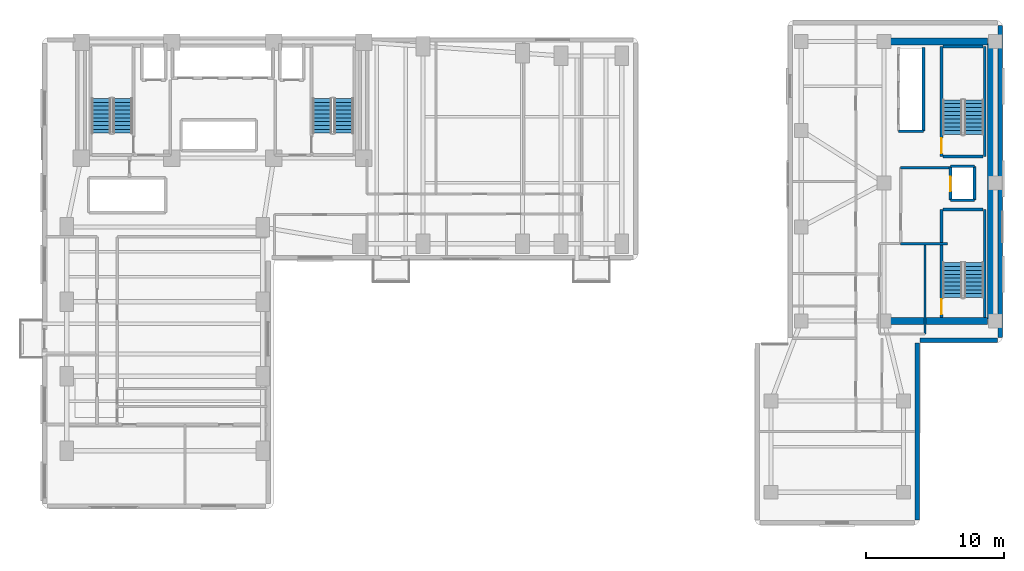
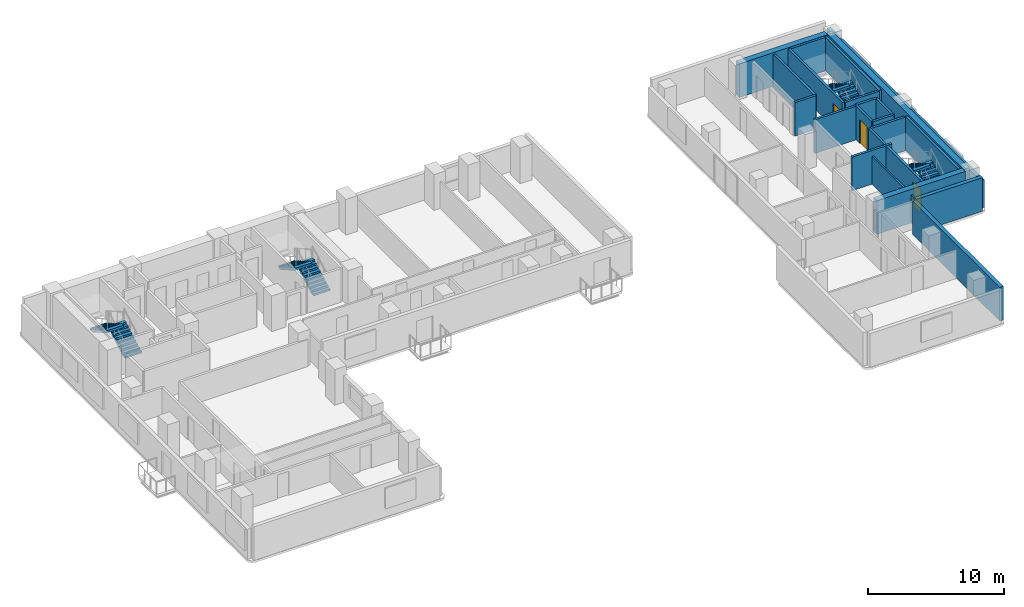
# One storey, part 13 of 17: 22 walls, 8 stair flights, 3 doors, 3 openings, 4 elements without a shape of their own.
"""IFC4 building model written with IfcOpenShell, lengths in metres."""

from ifc_helpers import new_model, si_unit, direction, frame, frame_2d, origin, place, context, subcontext, project, spatial, polyline, rectangle, outline, extrude, material, layer, layer_set, type_object, element, fill, aggregate, save


model = new_model("IFC4")

# Units and contexts
model_context = context("Model", 3, precision=1e-05, world=origin(), true_north=direction((0.0, 1.0)))
body_context = subcontext(model_context, "Body", "Model", "MODEL_VIEW")
ifc_project = project(units=[si_unit("LENGTHUNIT", "METRE"), si_unit("AREAUNIT", "SQUARE_METRE"), si_unit("VOLUMEUNIT", "CUBIC_METRE"), si_unit("PLANEANGLEUNIT", "RADIAN"), si_unit("MASSUNIT", "GRAM", prefix="KILO")], contexts=[model_context])

# Site, building, storey
site_placement = place(None, origin())
site = spatial("IfcSite", under=ifc_project, at=site_placement, CompositionType="ELEMENT")
building_placement = place(site_placement, origin())
building = spatial("IfcBuilding", under=site, at=building_placement, Name="Kuzgunbayir Cultural Tower", CompositionType="ELEMENT")
storey_placement = place(building_placement, frame((0.0, 0.0, 46.800048828125)))
storey = spatial("IfcBuildingStorey", under=building, at=storey_placement, Name="L12", CompositionType="ELEMENT", Elevation=46.800048828125)

# Walls
ifc_material_1 = material(Name="Travertine Buff Ashlar", Category="masonry")
ifc_layer_1 = layer(ifc_material_1, 0.320068359375)
ifc_layer_set_1 = layer_set([ifc_layer_1], Name="Travertine Buff Ashlar")
wall_type_1 = type_object("IfcWallType", Name="WAL-EXT-STONE-320", PredefinedType="STANDARD", material=ifc_layer_set_1)
wall_1_placement = place(storey_placement, frame((73.0, 20.800048828125, 0.0), z_axis=(0.0, 0.0, 1.0), x_axis=(0.0, 1.0, 0.0)))
element("IfcWall", 1, at=wall_1_placement, inside=storey, type_object=wall_type_1, Name="L12 Companion East Limestone Wall", PredefinedType="STANDARD", context=body_context, shape_type="SweptSolid", body=[
    extrude(rectangle(XDim=22.599853515625, YDim=0.320068359375, at=frame_2d((11.2998046875, 0.0))), origin(), (0.0, 0.0, 1.0), 2.5),
])
wall_2_placement = place(storey_placement, frame((67.0, 7.60009765625, 0.0), z_axis=(0.0, 0.0, 1.0), x_axis=(0.0, 1.0, 0.0)))
element("IfcWall", 2, at=wall_2_placement, inside=storey, type_object=wall_type_1, Name="L12 Companion Wing B East Wall", PredefinedType="STANDARD", context=body_context, shape_type="SweptSolid", body=[
    extrude(rectangle(XDim=12.7998046875, YDim=0.320068359375, at=frame_2d((6.39990234375, 0.0))), origin(), (0.0, 0.0, 1.0), 3.02001953125),
])
wall_3_placement = place(storey_placement, frame((67.199951171875, 20.60009765625, 0.0), z_axis=(0.0, 0.0, 1.0), x_axis=(1.0, 0.0, 0.0)))
element("IfcWall", 3, at=wall_3_placement, inside=storey, type_object=wall_type_1, Name="L12 Companion South-East Link", PredefinedType="STANDARD", context=body_context, shape_type="SweptSolid", body=[
    extrude(rectangle(XDim=5.60009765625, YDim=0.320068359375, at=frame_2d((2.800048828125, 0.0))), origin(), (0.0, 0.0, 1.0), 3.02001953125),
])
ifc_material_2 = material(Name="Acoustic Double-Stud Drywall", Category="gypsum")
ifc_layer_2 = layer(ifc_material_2, 0.14990234375)
ifc_layer_set_2 = layer_set([ifc_layer_2], Name="Acoustic Double-Stud Drywall")
wall_type_2 = type_object("IfcWallType", Name="WAL-PART-ACOUSTIC-150", PredefinedType="PARTITIONING", material=ifc_layer_set_2)
wall_4_placement = place(storey_placement, frame((67.550048828125, 21.050048828125, 0.0), z_axis=(0.0, 0.0, 1.0), x_axis=(0.0, 1.0, 0.0)))
element("IfcWall", 4, at=wall_4_placement, inside=storey, type_object=wall_type_2, Name="L12 Companion Archive East Wall", PredefinedType="PARTITIONING", context=body_context, shape_type="SweptSolid", body=[
    extrude(rectangle(XDim=6.469970703125, YDim=0.14990234375, at=frame_2d((3.23486328125, 0.0))), origin(), (0.0, 0.0, 1.0), 2.5),
])
ifc_material_3 = material(Name="Aerated Concrete Blockwork", Category="masonry")
ifc_layer_3 = layer(ifc_material_3, 0.199951171875)
ifc_layer_set_3 = layer_set([ifc_layer_3], Name="Aerated Concrete Blockwork")
wall_type_3 = type_object("IfcWallType", Name="WAL-PART-FIRE-200", PredefinedType="PARTITIONING", material=ifc_layer_set_3)
wall_5_placement = place(storey_placement, frame((65.800048828125, 33.10009765625, 0.0), z_axis=(0.0, 0.0, 1.0), x_axis=(1.0, 0.0, 0.0)))
element("IfcWall", 5, at=wall_5_placement, inside=storey, type_object=wall_type_3, Name="L12 FFL-3 Lobby North Fire Wall", PredefinedType="PARTITIONING", context=body_context, shape_type="SweptSolid", body=[
    extrude(rectangle(XDim=3.599853515625, YDim=0.199951171875, at=frame_2d((1.7998046875, 0.0))), origin(), (0.0, 0.0, 1.0), 3.02001953125),
])
wall_6_placement = place(storey_placement, frame((65.800048828125, 27.60009765625, 0.0), z_axis=(0.0, 0.0, 1.0), x_axis=(1.0, 0.0, 0.0)))
element("IfcWall", 6, at=wall_6_placement, inside=storey, type_object=wall_type_3, Name="L12 FFL-3 Lobby South Fire Wall", PredefinedType="PARTITIONING", context=body_context, shape_type="SweptSolid", body=[
    extrude(rectangle(XDim=3.39990234375, YDim=0.199951171875, at=frame_2d((1.699951171875, 0.0))), origin(), (0.0, 0.0, 1.0), 3.02001953125),
])
ifc_material_4 = material(Name="Concrete C40/50", Category="concrete")
ifc_layer_4 = layer(ifc_material_4, 0.199951171875)
ifc_layer_set_4 = layer_set([ifc_layer_4], Name="Concrete C40/50")
wall_type_4 = type_object("IfcWallType", Name="WAL-SHAFT-200", PredefinedType="MOVABLE", material=ifc_layer_set_4)
wall_7_placement = place(storey_placement, frame((67.449951171875, 35.75, 0.0), z_axis=(0.0, 0.0, 1.0), x_axis=(0.0, 1.0, 0.0)))
element("IfcWall", 7, at=wall_7_placement, inside=storey, type_object=wall_type_4, Name="L12 Companion Lift Shaft Back Wall", PredefinedType="MOVABLE", context=body_context, shape_type="SweptSolid", body=[
    extrude(rectangle(XDim=6.050048828125, YDim=0.199951171875, at=frame_2d((3.02490234375, 0.0))), origin(), (0.0, 0.0, 1.0), 3.02001953125),
])
wall_8_placement = place(storey_placement, frame((65.64990234375, 35.75, 0.0), z_axis=(0.0, 0.0, 1.0), x_axis=(1.0, 0.0, 0.0)))
element("IfcWall", 8, at=wall_8_placement, inside=storey, type_object=wall_type_4, Name="L12 Companion Lift Shaft South Wall", PredefinedType="MOVABLE", context=body_context, shape_type="SweptSolid", body=[
    extrude(rectangle(XDim=1.800048828125, YDim=0.199951171875, at=frame_2d((0.89990234375, 0.0))), origin(), (0.0, 0.0, 1.0), 3.02001953125),
])

# Wall, opening, door
wall_9_placement = place(storey_placement, frame((69.39990234375, 30.75, 0.0), z_axis=(0.0, 0.0, 1.0), x_axis=(0.0, 1.0, 0.0)))
wall_9 = element("IfcWall", 9, at=wall_9_placement, inside=storey, type_object=wall_type_4, Name="L12 FFL-3 Lift Front Wall", PredefinedType="MOVABLE", context=body_context, shape_type="SweptSolid", body=[
    extrude(rectangle(XDim=2.449951171875, YDim=0.199951171875, at=frame_2d((1.22509765625, 0.0))), origin(), (0.0, 0.0, 1.0), 3.02001953125),
])
opening_1_placement = place(wall_9_placement, frame((0.64990234375, 0.0, 0.0)))
opening_1 = element("IfcOpeningElement", 10, at=opening_1_placement, cuts=wall_9, Name="Opening LD", PredefinedType="OPENING", context=body_context, shape_type="SweptSolid", body=[
    extrude(rectangle(XDim=1.050048828125, YDim=2.14990234375, at=frame_2d((0.52490234375, 1.074951171875))), frame((0.0, 0.10986328125, 0.0), z_axis=(0.0, -1.0, 0.0), x_axis=(1.0, 0.0, 0.0)), (0.0, 0.0, 1.0), 0.219970703125),
])
ifc_material_5 = material(Name="Brushed Stainless Steel", Category="steel")
door_type_1 = type_object("IfcDoorType", Name="DR-LIFT-LANDING", OperationType="SLIDING_TO_LEFT", PredefinedType="DOOR", material=ifc_material_5)
door_1_placement = place(opening_1_placement, origin())
door_1 = element("IfcDoor", 11, at=door_1_placement, inside=storey, type_object=door_type_1, Name="L12 Lift FFL-3 Landing Door", OperationType="SLIDING_TO_LEFT", OverallHeight=2.14990234375, OverallWidth=1.050048828125, PredefinedType="DOOR", context=body_context, shape_type="SweptSolid", body=[
    extrude(rectangle(XDim=1.050048828125, YDim=2.14990234375, at=frame_2d((0.52490234375, 1.074951171875))), frame((0.0, 0.02490234375, 0.0), z_axis=(0.0, -1.0, 0.0), x_axis=(1.0, 0.0, 0.0)), (0.0, 0.0, 1.0), 0.050048828125),
])
fill(opening_1, door_1)

# Walls
wall_10_placement = place(storey_placement, frame((71.14990234375, 30.75, 0.0), z_axis=(0.0, 0.0, 1.0), x_axis=(0.0, 1.0, 0.0)))
element("IfcWall", 12, at=wall_10_placement, inside=storey, type_object=wall_type_4, Name="L12 FFL-3 Shaft Back Wall", PredefinedType="MOVABLE", context=body_context, shape_type="SweptSolid", body=[
    extrude(rectangle(XDim=2.449951171875, YDim=0.199951171875, at=frame_2d((1.22509765625, 0.0))), origin(), (0.0, 0.0, 1.0), 3.02001953125),
])
for number, where, z_axis, x_axis, name in (
    (13, (69.39990234375, 33.199951171875, 0.0), (0.0, 0.0, 1.0), (1.0, 0.0, 0.0), "L12 FFL-3 Shaft North Wall"),
    (14, (69.39990234375, 30.75, 0.0), (0.0, 0.0, 1.0), (1.0, 0.0, 0.0), "L12 FFL-3 Shaft South Wall"),
):
    element("IfcWall", number, at=place(storey_placement, frame(where, z_axis=z_axis, x_axis=x_axis)), inside=storey, type_object=wall_type_4, Name=name, PredefinedType="MOVABLE", context=body_context, shape_type="SweptSolid", body=[
        extrude(rectangle(XDim=1.75, YDim=0.199951171875, at=frame_2d((0.875, 0.0))), origin(), (0.0, 0.0, 1.0), 3.02001953125),
    ])

# Wall, opening, door
ifc_layer_5 = layer(ifc_material_4, 0.199951171875)
ifc_layer_set_5 = layer_set([ifc_layer_5], Name="Concrete C40/50")
wall_type_5 = type_object("IfcWallType", Name="WAL-STAIR-RC-200", PredefinedType="SHEAR", material=ifc_layer_set_5)
wall_11_placement = place(storey_placement, frame((68.760009765625, 22.260009765625, 0.0), z_axis=(0.0, 0.0, 1.0), x_axis=(0.0, 1.0, 0.0)))
wall_11 = element("IfcWall", 15, at=wall_11_placement, inside=storey, type_object=wall_type_5, Name="L12 Stair ST-3 West Structural Wall", PredefinedType="SHEAR", context=body_context, shape_type="SweptSolid", body=[
    extrude(rectangle(XDim=7.820068359375, YDim=0.199951171875, at=frame_2d((3.91015625, 0.0))), origin(), (0.0, 0.0, 1.0), 3.02001953125),
])
opening_2_placement = place(wall_11_placement, frame((0.219970703125, 0.0, 0.0)))
opening_2 = element("IfcOpeningElement", 16, at=opening_2_placement, cuts=wall_11, Name="Opening DR-STAIR-90", PredefinedType="OPENING", context=body_context, shape_type="SweptSolid", body=[
    extrude(rectangle(XDim=1.10009765625, YDim=2.14990234375, at=frame_2d((0.550048828125, 1.074951171875))), frame((0.0, 0.10986328125, 0.0), z_axis=(0.0, -1.0, 0.0), x_axis=(1.0, 0.0, 0.0)), (0.0, 0.0, 1.0), 0.219970703125),
])
ifc_material_6 = material(Name="Steel S355J2", Category="steel")
door_type_2 = type_object("IfcDoorType", Name="DR-STAIR-90", OperationType="NOTDEFINED", PredefinedType="DOOR", material=ifc_material_6)
door_2_placement = place(opening_2_placement, origin())
door_2 = element("IfcDoor", 17, at=door_2_placement, inside=storey, type_object=door_type_2, Name="L12 Stair ST-3 Fire Door", OperationType="SINGLE_SWING_RIGHT", OverallHeight=2.14990234375, OverallWidth=1.10009765625, PredefinedType="DOOR", context=body_context, shape_type="SweptSolid", body=[
    extrude(rectangle(XDim=1.10009765625, YDim=2.14990234375, at=frame_2d((0.550048828125, 1.074951171875))), frame((0.0, 0.02490234375, 0.0), z_axis=(0.0, -1.0, 0.0), x_axis=(1.0, 0.0, 0.0)), (0.0, 0.0, 1.0), 0.050048828125),
])
fill(opening_2, door_2)

# Walls
wall_12_placement = place(storey_placement, frame((71.8798828125, 22.260009765625, 0.0), z_axis=(0.0, 0.0, 1.0), x_axis=(0.0, 1.0, 0.0)))
element("IfcWall", 18, at=wall_12_placement, inside=storey, type_object=wall_type_5, Name="L12 Stair ST-3 East Structural Wall", PredefinedType="SHEAR", context=body_context, shape_type="SweptSolid", body=[
    extrude(rectangle(XDim=7.820068359375, YDim=0.199951171875, at=frame_2d((3.91015625, 0.0))), origin(), (0.0, 0.0, 1.0), 3.02001953125),
])
wall_13_placement = place(storey_placement, frame((68.8798828125, 30.080078125, 0.0), z_axis=(0.0, 0.0, 1.0), x_axis=(1.0, 0.0, 0.0)))
element("IfcWall", 19, at=wall_13_placement, inside=storey, type_object=wall_type_5, Name="L12 Stair ST-3 North Structural Wall", PredefinedType="SHEAR", context=body_context, shape_type="SweptSolid", body=[
    extrude(rectangle(XDim=2.880126953125, YDim=0.199951171875, at=frame_2d((1.43994140625, 0.0))), origin(), (0.0, 0.0, 1.0), 3.02001953125),
])

# Wall, opening, door
wall_14_placement = place(storey_placement, frame((68.760009765625, 33.919921875, 0.0), z_axis=(0.0, 0.0, 1.0), x_axis=(0.0, 1.0, 0.0)))
wall_14 = element("IfcWall", 20, at=wall_14_placement, inside=storey, type_object=wall_type_5, Name="L12 Stair ST-4 West Structural Wall", PredefinedType="SHEAR", context=body_context, shape_type="SweptSolid", body=[
    extrude(rectangle(XDim=7.9599609375, YDim=0.199951171875, at=frame_2d((3.97998046875, 0.0))), origin(), (0.0, 0.0, 1.0), 3.02001953125),
])
opening_3_placement = place(wall_14_placement, frame((0.219970703125, 0.0, 0.0)))
opening_3 = element("IfcOpeningElement", 21, at=opening_3_placement, cuts=wall_14, Name="Opening DR-STAIR-90", PredefinedType="OPENING", context=body_context, shape_type="SweptSolid", body=[
    extrude(rectangle(XDim=1.10009765625, YDim=2.14990234375, at=frame_2d((0.550048828125, 1.074951171875))), frame((0.0, 0.10986328125, 0.0), z_axis=(0.0, -1.0, 0.0), x_axis=(1.0, 0.0, 0.0)), (0.0, 0.0, 1.0), 0.219970703125),
])
door_3_placement = place(opening_3_placement, origin())
door_3 = element("IfcDoor", 22, at=door_3_placement, inside=storey, type_object=door_type_2, Name="L12 Stair ST-4 Fire Door", OperationType="SINGLE_SWING_LEFT", OverallHeight=2.14990234375, OverallWidth=1.10009765625, PredefinedType="DOOR", context=body_context, shape_type="SweptSolid", body=[
    extrude(rectangle(XDim=1.10009765625, YDim=2.14990234375, at=frame_2d((0.550048828125, 1.074951171875))), frame((0.0, 0.02490234375, 0.0), z_axis=(0.0, -1.0, 0.0), x_axis=(1.0, 0.0, 0.0)), (0.0, 0.0, 1.0), 0.050048828125),
])
fill(opening_3, door_3)

# Walls
wall_15_placement = place(storey_placement, frame((71.8798828125, 33.919921875, 0.0), z_axis=(0.0, 0.0, 1.0), x_axis=(0.0, 1.0, 0.0)))
element("IfcWall", 23, at=wall_15_placement, inside=storey, type_object=wall_type_5, Name="L12 Stair ST-4 East Structural Wall", PredefinedType="SHEAR", context=body_context, shape_type="SweptSolid", body=[
    extrude(rectangle(XDim=7.9599609375, YDim=0.199951171875, at=frame_2d((3.97998046875, 0.0))), origin(), (0.0, 0.0, 1.0), 3.02001953125),
])
for number, where, z_axis, x_axis, name in (
    (24, (68.8798828125, 41.8798828125, 0.0), (0.0, 0.0, 1.0), (1.0, 0.0, 0.0), "L12 Stair ST-4 North Structural Wall"),
    (25, (68.8798828125, 33.919921875, 0.0), (0.0, 0.0, 1.0), (1.0, 0.0, 0.0), "L12 Stair ST-4 South Structural Wall"),
):
    element("IfcWall", number, at=place(storey_placement, frame(where, z_axis=z_axis, x_axis=x_axis)), inside=storey, type_object=wall_type_5, Name=name, PredefinedType="SHEAR", context=body_context, shape_type="SweptSolid", body=[
        extrude(rectangle(XDim=2.880126953125, YDim=0.199951171875, at=frame_2d((1.43994140625, 0.0))), origin(), (0.0, 0.0, 1.0), 3.02001953125),
    ])
ifc_material_7 = material(Name="Concrete C60/75", Category="concrete")
ifc_layer_6 = layer(ifc_material_7, 0.5)
ifc_layer_set_6 = layer_set([ifc_layer_6], Name="Concrete C60/75")
wall_type_6 = type_object("IfcWallType", Name="WAL-T2-CORE-500", PredefinedType="SHEAR", material=ifc_layer_set_6)
wall_16_placement = place(storey_placement, frame((72.35009765625, 22.0, 0.0), z_axis=(0.0, 0.0, 1.0), x_axis=(0.0, 1.0, 0.0)))
element("IfcWall", 26, at=wall_16_placement, inside=storey, type_object=wall_type_6, Name="L12 Companion Core East Shear Wall", PredefinedType="SHEAR", context=body_context, shape_type="SweptSolid", body=[
    extrude(rectangle(XDim=20.25, YDim=0.5, at=frame_2d((10.125, 0.0))), origin(), (0.0, 0.0, 1.0), 3.02001953125),
])
for number, where, z_axis, x_axis, name in (
    (27, (64.60009765625, 42.25, 0.0), (0.0, 0.0, 1.0), (1.0, 0.0, 0.0), "L12 Companion Core North Shear Wall"),
    (28, (64.60009765625, 22.0, 0.0), (0.0, 0.0, 1.0), (1.0, 0.0, 0.0), "L12 Companion Core South Shear Wall"),
):
    element("IfcWall", number, at=place(storey_placement, frame(where, z_axis=z_axis, x_axis=x_axis)), inside=storey, type_object=wall_type_6, Name=name, PredefinedType="SHEAR", context=body_context, shape_type="SweptSolid", body=[
        extrude(rectangle(XDim=7.5, YDim=0.5, at=frame_2d((3.75, 0.0))), origin(), (0.0, 0.0, 1.0), 3.02001953125),
    ])

# Stair, stair flights
stair_type = type_object("IfcStairType", Name="STR-EXIT-CORE", PredefinedType="HALF_TURN_STAIR", material=ifc_material_4)
stair_1_placement = place(storey_placement, origin())
stair_1 = element("IfcStair", 29, at=stair_1_placement, inside=storey, type_object=stair_type, Name="L12 ST-1", PredefinedType="HALF_TURN_STAIR")
stair_flight_type = type_object("IfcStairFlightType", Name="STRF-RC-140", PredefinedType="STRAIGHT", material=ifc_material_4)
stair_flight_1_placement = place(storey_placement, frame((9.4599609375, 35.60009765625, 0.0), z_axis=(0.0, 0.0, 1.0), x_axis=(0.0, 1.0, 0.0)))
stair_flight_1 = element("IfcStairFlight", 30, at=stair_flight_1_placement, type_object=stair_flight_type, Name="ST-1 flight 1", NumberOfRisers=10, NumberOfTreads=9, PredefinedType="STRAIGHT", RiserHeight=0.16, TreadLength=0.28, context=body_context, shape_type="SweptSolid", body=[
    extrude(outline(polyline([(0.0, 0.0), (0.0, 0.159912109375), (0.280029296875, 0.159912109375), (0.280029296875, 0.320068359375), (0.56005859375, 0.320068359375), (0.56005859375, 0.47998046875), (0.840087890625, 0.47998046875), (0.840087890625, 0.639892578125), (1.1201171875, 0.639892578125), (1.1201171875, 0.800048828125), (1.39990234375, 0.800048828125), (1.39990234375, 0.9599609375), (1.679931640625, 0.9599609375), (1.679931640625, 1.1201171875), (1.9599609375, 1.1201171875), (1.9599609375, 1.280029296875), (2.239990234375, 1.280029296875), (2.239990234375, 1.43994140625), (2.52001953125, 1.43994140625), (2.52001953125, 1.60009765625), (2.52001953125, 1.232666015625), (0.362548828125, 0.0), (0.0, 0.0)])), frame((0.0, 0.699951171875, 0.0), z_axis=(0.0, -1.0, 0.0), x_axis=(1.0, 0.0, 0.0)), (0.0, 0.0, 1.0), 1.39990234375),
])
stair_flight_2_placement = place(storey_placement, frame((7.89990234375, 38.1201171875, 1.599853515625), z_axis=(0.0, 0.0, 1.0), x_axis=(0.0, -1.0, 0.0)))
stair_flight_2 = element("IfcStairFlight", 31, at=stair_flight_2_placement, type_object=stair_flight_type, Name="ST-1 flight 2", NumberOfRisers=10, NumberOfTreads=9, PredefinedType="STRAIGHT", RiserHeight=0.16, TreadLength=0.28, context=body_context, shape_type="SweptSolid", body=[
    extrude(outline(polyline([(0.0, 0.0), (0.0, 0.159912109375), (0.280029296875, 0.159912109375), (0.280029296875, 0.320068359375), (0.56005859375, 0.320068359375), (0.56005859375, 0.47998046875), (0.840087890625, 0.47998046875), (0.840087890625, 0.639892578125), (1.1201171875, 0.639892578125), (1.1201171875, 0.800048828125), (1.39990234375, 0.800048828125), (1.39990234375, 0.9599609375), (1.679931640625, 0.9599609375), (1.679931640625, 1.1201171875), (1.9599609375, 1.1201171875), (1.9599609375, 1.280029296875), (2.239990234375, 1.280029296875), (2.239990234375, 1.43994140625), (2.52001953125, 1.43994140625), (2.52001953125, 1.60009765625), (2.52001953125, 1.232666015625), (0.362548828125, 0.0), (0.0, 0.0)])), frame((0.0, 0.699951171875, 0.0), z_axis=(0.0, -1.0, 0.0), x_axis=(1.0, 0.0, 0.0)), (0.0, 0.0, 1.0), 1.39990234375),
])
aggregate(stair_1, [stair_flight_1, stair_flight_2])

stair_2_placement = place(storey_placement, origin())
stair_2 = element("IfcStair", 32, at=stair_2_placement, inside=storey, type_object=stair_type, Name="L12 ST-2", PredefinedType="HALF_TURN_STAIR")
stair_flight_3_placement = place(storey_placement, frame((25.4599609375, 35.60009765625, 0.0), z_axis=(0.0, 0.0, 1.0), x_axis=(0.0, 1.0, 0.0)))
stair_flight_3 = element("IfcStairFlight", 33, at=stair_flight_3_placement, type_object=stair_flight_type, Name="ST-2 flight 1", NumberOfRisers=10, NumberOfTreads=9, PredefinedType="STRAIGHT", RiserHeight=0.16, TreadLength=0.28, context=body_context, shape_type="SweptSolid", body=[
    extrude(outline(polyline([(0.0, 0.0), (0.0, 0.159912109375), (0.280029296875, 0.159912109375), (0.280029296875, 0.320068359375), (0.56005859375, 0.320068359375), (0.56005859375, 0.47998046875), (0.840087890625, 0.47998046875), (0.840087890625, 0.639892578125), (1.1201171875, 0.639892578125), (1.1201171875, 0.800048828125), (1.39990234375, 0.800048828125), (1.39990234375, 0.9599609375), (1.679931640625, 0.9599609375), (1.679931640625, 1.1201171875), (1.9599609375, 1.1201171875), (1.9599609375, 1.280029296875), (2.239990234375, 1.280029296875), (2.239990234375, 1.43994140625), (2.52001953125, 1.43994140625), (2.52001953125, 1.60009765625), (2.52001953125, 1.232666015625), (0.362548828125, 0.0), (0.0, 0.0)])), frame((0.0, 0.699951171875, 0.0), z_axis=(0.0, -1.0, 0.0), x_axis=(1.0, 0.0, 0.0)), (0.0, 0.0, 1.0), 1.39990234375),
])
stair_flight_4_placement = place(storey_placement, frame((23.89990234375, 38.1201171875, 1.599853515625), z_axis=(0.0, 0.0, 1.0), x_axis=(0.0, -1.0, 0.0)))
stair_flight_4 = element("IfcStairFlight", 34, at=stair_flight_4_placement, type_object=stair_flight_type, Name="ST-2 flight 2", NumberOfRisers=10, NumberOfTreads=9, PredefinedType="STRAIGHT", RiserHeight=0.16, TreadLength=0.28, context=body_context, shape_type="SweptSolid", body=[
    extrude(outline(polyline([(0.0, 0.0), (0.0, 0.159912109375), (0.280029296875, 0.159912109375), (0.280029296875, 0.320068359375), (0.56005859375, 0.320068359375), (0.56005859375, 0.47998046875), (0.840087890625, 0.47998046875), (0.840087890625, 0.639892578125), (1.1201171875, 0.639892578125), (1.1201171875, 0.800048828125), (1.39990234375, 0.800048828125), (1.39990234375, 0.9599609375), (1.679931640625, 0.9599609375), (1.679931640625, 1.1201171875), (1.9599609375, 1.1201171875), (1.9599609375, 1.280029296875), (2.239990234375, 1.280029296875), (2.239990234375, 1.43994140625), (2.52001953125, 1.43994140625), (2.52001953125, 1.60009765625), (2.52001953125, 1.232666015625), (0.362548828125, 0.0), (0.0, 0.0)])), frame((0.0, 0.699951171875, 0.0), z_axis=(0.0, -1.0, 0.0), x_axis=(1.0, 0.0, 0.0)), (0.0, 0.0, 1.0), 1.39990234375),
])
aggregate(stair_2, [stair_flight_3, stair_flight_4])

stair_3_placement = place(storey_placement, origin())
stair_3 = element("IfcStair", 35, at=stair_3_placement, inside=storey, type_object=stair_type, Name="L12 ST-3", PredefinedType="HALF_TURN_STAIR")
stair_flight_5_placement = place(storey_placement, frame((71.10009765625, 23.699951171875, 0.0), z_axis=(0.0, 0.0, 1.0), x_axis=(0.0, 1.0, 0.0)))
stair_flight_5 = element("IfcStairFlight", 36, at=stair_flight_5_placement, type_object=stair_flight_type, Name="ST-3 flight 1", NumberOfRisers=10, NumberOfTreads=9, PredefinedType="STRAIGHT", RiserHeight=0.16, TreadLength=0.28, context=body_context, shape_type="SweptSolid", body=[
    extrude(outline(polyline([(0.0, 0.0), (0.0, 0.159912109375), (0.280029296875, 0.159912109375), (0.280029296875, 0.320068359375), (0.56005859375, 0.320068359375), (0.56005859375, 0.47998046875), (0.840087890625, 0.47998046875), (0.840087890625, 0.639892578125), (1.1201171875, 0.639892578125), (1.1201171875, 0.800048828125), (1.39990234375, 0.800048828125), (1.39990234375, 0.9599609375), (1.679931640625, 0.9599609375), (1.679931640625, 1.1201171875), (1.9599609375, 1.1201171875), (1.9599609375, 1.280029296875), (2.239990234375, 1.280029296875), (2.239990234375, 1.43994140625), (2.52001953125, 1.43994140625), (2.52001953125, 1.60009765625), (2.52001953125, 1.232666015625), (0.362548828125, 0.0), (0.0, 0.0)])), frame((0.0, 0.699951171875, 0.0), z_axis=(0.0, -1.0, 0.0), x_axis=(1.0, 0.0, 0.0)), (0.0, 0.0, 1.0), 1.39990234375),
])
stair_flight_6_placement = place(storey_placement, frame((69.5400390625, 26.219970703125, 1.599853515625), z_axis=(0.0, 0.0, 1.0), x_axis=(0.0, -1.0, 0.0)))
stair_flight_6 = element("IfcStairFlight", 37, at=stair_flight_6_placement, type_object=stair_flight_type, Name="ST-3 flight 2", NumberOfRisers=10, NumberOfTreads=9, PredefinedType="STRAIGHT", RiserHeight=0.16, TreadLength=0.28, context=body_context, shape_type="SweptSolid", body=[
    extrude(outline(polyline([(0.0, 0.0), (0.0, 0.159912109375), (0.280029296875, 0.159912109375), (0.280029296875, 0.320068359375), (0.56005859375, 0.320068359375), (0.56005859375, 0.47998046875), (0.840087890625, 0.47998046875), (0.840087890625, 0.639892578125), (1.1201171875, 0.639892578125), (1.1201171875, 0.800048828125), (1.39990234375, 0.800048828125), (1.39990234375, 0.9599609375), (1.679931640625, 0.9599609375), (1.679931640625, 1.1201171875), (1.9599609375, 1.1201171875), (1.9599609375, 1.280029296875), (2.239990234375, 1.280029296875), (2.239990234375, 1.43994140625), (2.52001953125, 1.43994140625), (2.52001953125, 1.60009765625), (2.52001953125, 1.232666015625), (0.362548828125, 0.0), (0.0, 0.0)])), frame((0.0, 0.699951171875, 0.0), z_axis=(0.0, -1.0, 0.0), x_axis=(1.0, 0.0, 0.0)), (0.0, 0.0, 1.0), 1.39990234375),
])
aggregate(stair_3, [stair_flight_5, stair_flight_6])

stair_4_placement = place(storey_placement, origin())
stair_4 = element("IfcStair", 38, at=stair_4_placement, inside=storey, type_object=stair_type, Name="L12 ST-4", PredefinedType="HALF_TURN_STAIR")
stair_flight_7_placement = place(storey_placement, frame((71.10009765625, 35.5, 0.0), z_axis=(0.0, 0.0, 1.0), x_axis=(0.0, 1.0, 0.0)))
stair_flight_7 = element("IfcStairFlight", 39, at=stair_flight_7_placement, type_object=stair_flight_type, Name="ST-4 flight 1", NumberOfRisers=10, NumberOfTreads=9, PredefinedType="STRAIGHT", RiserHeight=0.16, TreadLength=0.28, context=body_context, shape_type="SweptSolid", body=[
    extrude(outline(polyline([(0.0, 0.0), (0.0, 0.159912109375), (0.280029296875, 0.159912109375), (0.280029296875, 0.320068359375), (0.56005859375, 0.320068359375), (0.56005859375, 0.47998046875), (0.840087890625, 0.47998046875), (0.840087890625, 0.639892578125), (1.1201171875, 0.639892578125), (1.1201171875, 0.800048828125), (1.39990234375, 0.800048828125), (1.39990234375, 0.9599609375), (1.679931640625, 0.9599609375), (1.679931640625, 1.1201171875), (1.9599609375, 1.1201171875), (1.9599609375, 1.280029296875), (2.239990234375, 1.280029296875), (2.239990234375, 1.43994140625), (2.52001953125, 1.43994140625), (2.52001953125, 1.60009765625), (2.52001953125, 1.232666015625), (0.362548828125, 0.0), (0.0, 0.0)])), frame((0.0, 0.699951171875, 0.0), z_axis=(0.0, -1.0, 0.0), x_axis=(1.0, 0.0, 0.0)), (0.0, 0.0, 1.0), 1.39990234375),
])
stair_flight_8_placement = place(storey_placement, frame((69.5400390625, 38.02001953125, 1.599853515625), z_axis=(0.0, 0.0, 1.0), x_axis=(0.0, -1.0, 0.0)))
stair_flight_8 = element("IfcStairFlight", 40, at=stair_flight_8_placement, type_object=stair_flight_type, Name="ST-4 flight 2", NumberOfRisers=10, NumberOfTreads=9, PredefinedType="STRAIGHT", RiserHeight=0.16, TreadLength=0.28, context=body_context, shape_type="SweptSolid", body=[
    extrude(outline(polyline([(0.0, 0.0), (0.0, 0.159912109375), (0.280029296875, 0.159912109375), (0.280029296875, 0.320068359375), (0.56005859375, 0.320068359375), (0.56005859375, 0.47998046875), (0.840087890625, 0.47998046875), (0.840087890625, 0.639892578125), (1.1201171875, 0.639892578125), (1.1201171875, 0.800048828125), (1.39990234375, 0.800048828125), (1.39990234375, 0.9599609375), (1.679931640625, 0.9599609375), (1.679931640625, 1.1201171875), (1.9599609375, 1.1201171875), (1.9599609375, 1.280029296875), (2.239990234375, 1.280029296875), (2.239990234375, 1.43994140625), (2.52001953125, 1.43994140625), (2.52001953125, 1.60009765625), (2.52001953125, 1.232666015625), (0.362548828125, 0.0), (0.0, 0.0)])), frame((0.0, 0.699951171875, 0.0), z_axis=(0.0, -1.0, 0.0), x_axis=(1.0, 0.0, 0.0)), (0.0, 0.0, 1.0), 1.39990234375),
])
aggregate(stair_4, [stair_flight_7, stair_flight_8])

save(model, "model.ifc")
